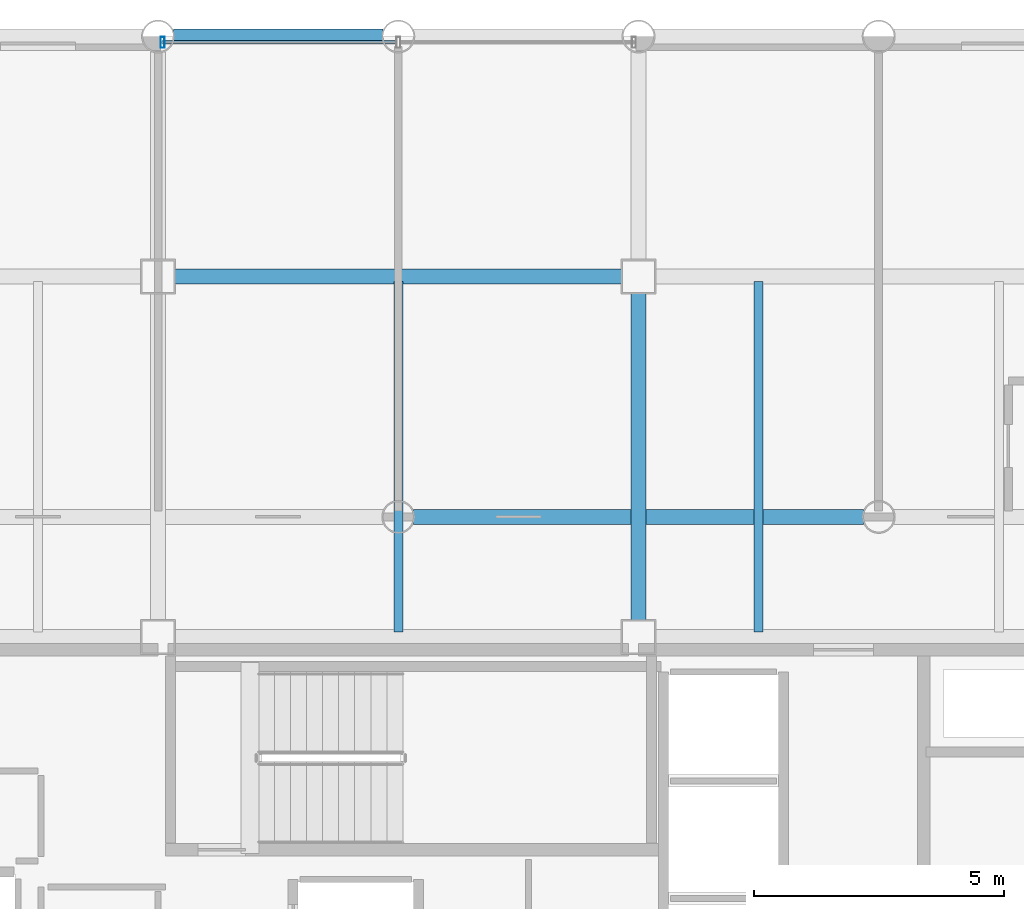
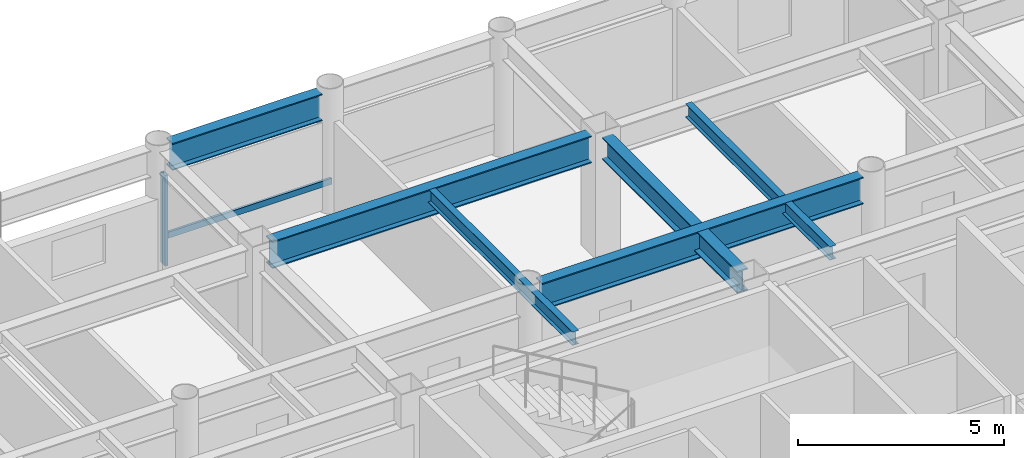
# One storey, part 11 of 20: 6 beams, 2 members, 1 element without a shape of its own.
"""IFC4 building model written with IfcOpenShell, lengths in metres."""

from ifc_helpers import new_model, si_unit, direction, frame, origin, origin_2d, place, context, subcontext, project, spatial, hollow_rectangle, i_section, extrude, material, layer, layer_set, material_profile, profile_set, type_object, element, aggregate, save


model = new_model("IFC4")

# Units and contexts
model_context = context("Model", 3, precision=1e-05, world=origin(), true_north=direction((0.0, 1.0)))
body_context = subcontext(model_context, "Body", "Model", "MODEL_VIEW")
ifc_project = project(units=[si_unit("LENGTHUNIT", "METRE"), si_unit("AREAUNIT", "SQUARE_METRE"), si_unit("VOLUMEUNIT", "CUBIC_METRE"), si_unit("PLANEANGLEUNIT", "RADIAN"), si_unit("MASSUNIT", "GRAM", prefix="KILO")], contexts=[model_context])

# Site, building, storey
site_placement = place(None, origin())
site = spatial("IfcSite", under=ifc_project, at=site_placement, CompositionType="ELEMENT")
building_placement = place(site_placement, origin())
building = spatial("IfcBuilding", under=site, at=building_placement, Name="Kallvorn Hotel Tower", CompositionType="ELEMENT")
storey_placement = place(building_placement, frame((0.0, 0.0, 172.89990234375)))
storey = spatial("IfcBuildingStorey", under=building, at=storey_placement, Name="L43", CompositionType="ELEMENT", Elevation=172.89990234375)

# Beams
ifc_material_1 = material(Name="Structural steel S355JR", Category="steel")
ifc_material_profile_1 = material_profile(ifc_material_1, i_section(OverallWidth=0.300048828125, OverallDepth=0.64990234375, WebThickness=0.01611328125, FlangeThickness=0.031005859375, at=origin_2d()), Name="HE 650 B")
ifc_profile_set_1 = profile_set([ifc_material_profile_1], Name="Structural steel S355JR")
beam_type_1 = type_object("IfcBeamType", Name="BM_HE650B", PredefinedType="BEAM", material=ifc_profile_set_1)
beam_1_placement = place(storey_placement, frame((4.800048828125, 7.52490234375, 3.195068359375), z_axis=(0.0, 1.0, 0.0), x_axis=(-1.0, 0.0, 0.0)))
element("IfcBeam", 1, at=beam_1_placement, inside=storey, type_object=beam_type_1, Name="L44 Primary Y-Girder 117", PredefinedType="BEAM", context=body_context, shape_type="SweptSolid", body=[
    extrude(i_section(OverallWidth=0.300048828125, OverallDepth=0.64990234375, WebThickness=0.01611328125, FlangeThickness=0.031005859375, at=origin_2d()), origin(), (0.0, 0.0, 1.0), 6.550048828125),
])
ifc_material_2 = material(Name="Structural steel S355JR", Category="steel")
ifc_material_profile_2 = material_profile(ifc_material_2, i_section(OverallWidth=0.300048828125, OverallDepth=0.800048828125, WebThickness=0.017578125, FlangeThickness=0.032958984375, at=origin_2d()), Name="HE 800 B")
ifc_profile_set_2 = profile_set([ifc_material_profile_2], Name="Structural steel S355JR")
beam_type_2 = type_object("IfcBeamType", Name="BM_HE800B", PredefinedType="BEAM", material=ifc_profile_set_2)
beam_2_placement = place(storey_placement, frame((0.304931640625, 9.60009765625, 3.1201171875), z_axis=(1.0, 0.0, 0.0), x_axis=(0.0, 1.0, 0.0)))
element("IfcBeam", 2, at=beam_2_placement, inside=storey, type_object=beam_type_2, Name="L44 Primary X-Girder 47", PredefinedType="BEAM", context=body_context, shape_type="SweptSolid", body=[
    extrude(i_section(OverallWidth=0.300048828125, OverallDepth=0.800048828125, WebThickness=0.017578125, FlangeThickness=0.032958984375, at=origin_2d()), origin(), (0.0, 0.0, 1.0), 8.989990234375),
])
beam_3_placement = place(storey_placement, frame((-4.47509765625, 14.39990234375, 3.1201171875), z_axis=(1.0, 0.0, 0.0), x_axis=(0.0, 1.0, 0.0)))
element("IfcBeam", 3, at=beam_3_placement, inside=storey, type_object=beam_type_2, Name="L44 Primary X-Girder 56", PredefinedType="BEAM", context=body_context, shape_type="SweptSolid", body=[
    extrude(i_section(OverallWidth=0.300048828125, OverallDepth=0.800048828125, WebThickness=0.017578125, FlangeThickness=0.032958984375, at=origin_2d()), origin(), (0.0, 0.0, 1.0), 8.9501953125),
])
beam_4_placement = place(storey_placement, frame((-4.4951171875, 19.199951171875, 3.1201171875), z_axis=(1.0, 0.0, 0.0), x_axis=(0.0, 1.0, 0.0)))
element("IfcBeam", 4, at=beam_4_placement, inside=storey, type_object=beam_type_2, Name="L44 Primary X-Girder 66", PredefinedType="BEAM", context=body_context, shape_type="SweptSolid", body=[
    extrude(i_section(OverallWidth=0.300048828125, OverallDepth=0.800048828125, WebThickness=0.017578125, FlangeThickness=0.032958984375, at=origin_2d()), origin(), (0.0, 0.0, 1.0), 4.190185546875),
])
ifc_material_3 = material(Name="Structural steel S355JR", Category="steel")
ifc_material_profile_3 = material_profile(ifc_material_3, i_section(OverallWidth=0.179931640625, OverallDepth=0.39990234375, WebThickness=0.008544921875, FlangeThickness=0.013427734375, at=origin_2d()), Name="IPE 400")
ifc_profile_set_3 = profile_set([ifc_material_profile_3], Name="Structural steel S355JR")
beam_type_3 = type_object("IfcBeamType", Name="BM_IPE400", PredefinedType="JOIST", material=ifc_profile_set_3)
for number, where, z_axis, x_axis, name in (
    (5, (0.0, 7.300048828125, 3.320068359375), (0.0, 1.0, 0.0), (-1.0, 0.0, 0.0), "L44 Secondary Composite Joist 201"),
    (6, (7.199951171875, 7.300048828125, 3.320068359375), (0.0, 1.0, 0.0), (-1.0, 0.0, 0.0), "L44 Secondary Composite Joist 203"),
):
    element("IfcBeam", number, at=place(storey_placement, frame(where, z_axis=z_axis, x_axis=x_axis)), inside=storey, type_object=beam_type_3, Name=name, PredefinedType="JOIST", context=body_context, shape_type="SweptSolid", body=[
        extrude(i_section(OverallWidth=0.179931640625, OverallDepth=0.39990234375, WebThickness=0.008544921875, FlangeThickness=0.013427734375, at=origin_2d()), origin(), (0.0, 0.0, 1.0), 7.0),
    ])

# Curtain wall, members
ifc_material_4 = material(Name="Thermally broken black-anodised aluminium AA 6063-T6", Category="aluminium")
ifc_layer = layer(ifc_material_4, 0.2099609375)
ifc_layer_set = layer_set([ifc_layer], Name="CW_SYS_4_HOTEL_MID")
curtain_wall_type = type_object("IfcCurtainWallType", Name="CW_SYS_4_HOTEL_MID", PredefinedType="USERDEFINED", material=ifc_layer_set)
curtain_wall_placement = place(storey_placement, origin())
curtain_wall = element("IfcCurtainWall", 7, at=curtain_wall_placement, inside=storey, type_object=curtain_wall_type, Name="L43 Dark-Glass Curtain Wall CW-L43-NC", ObjectType="UNITISED CURTAIN WALL", PredefinedType="USERDEFINED")
ifc_material_5 = material(Name="Thermally broken black-anodised aluminium AA 6063-T6", Category="aluminium")
ifc_material_profile_4 = material_profile(ifc_material_5, hollow_rectangle(XDim=0.080078125, YDim=0.219970703125, WallThickness=0.0048828125, at=origin_2d()), Name="MUL 220x80")
ifc_profile_set_4 = profile_set([ifc_material_profile_4], Name="Thermally broken black-anodised aluminium AA 6063-T6")
member_type_1 = type_object("IfcMemberType", Name="CW_MULLION_220x80", PredefinedType="MULLION", material=ifc_profile_set_4)
member_1_placement = place(storey_placement, frame((-4.7099609375, 19.080078125, 0.02001953125), z_axis=(0.0, 0.0, 1.0), x_axis=(1.0, 0.0, 0.0)))
member_1 = element("IfcMember", 8, at=member_1_placement, type_object=member_type_1, Name="CW-L43-NC Mullion 00", PredefinedType="MULLION", context=body_context, shape_type="SweptSolid", body=[
    extrude(hollow_rectangle(XDim=0.080078125, YDim=0.219970703125, WallThickness=0.0048828125, at=origin_2d()), origin(), (0.0, 0.0, 1.0), 2.68017578125),
])
ifc_material_6 = material(Name="Thermally broken black-anodised aluminium AA 6063-T6", Category="aluminium")
ifc_material_profile_5 = material_profile(ifc_material_6, hollow_rectangle(XDim=0.070068359375, YDim=0.179931640625, WallThickness=0.00390625, at=origin_2d()), Name="TRN 180x70")
ifc_profile_set_5 = profile_set([ifc_material_profile_5], Name="Thermally broken black-anodised aluminium AA 6063-T6")
member_type_2 = type_object("IfcMemberType", Name="CW_TRANSOM_180x70", PredefinedType="USERDEFINED", material=ifc_profile_set_5)
member_2_placement = place(storey_placement, frame((-4.7099609375, 19.080078125, 0.85009765625), z_axis=(1.0, 0.0, 0.0), x_axis=(0.0, 1.0, 0.0)))
member_2 = element("IfcMember", 9, at=member_2_placement, type_object=member_type_2, Name="CW-L43-NC Transom 00M", ObjectType="TRANSOM", PredefinedType="USERDEFINED", context=body_context, shape_type="SweptSolid", body=[
    extrude(hollow_rectangle(XDim=0.070068359375, YDim=0.179931640625, WallThickness=0.00390625, at=origin_2d()), origin(), (0.0, 0.0, 1.0), 4.669921875),
])
aggregate(curtain_wall, [member_1, member_2])

save(model, "model.ifc")
